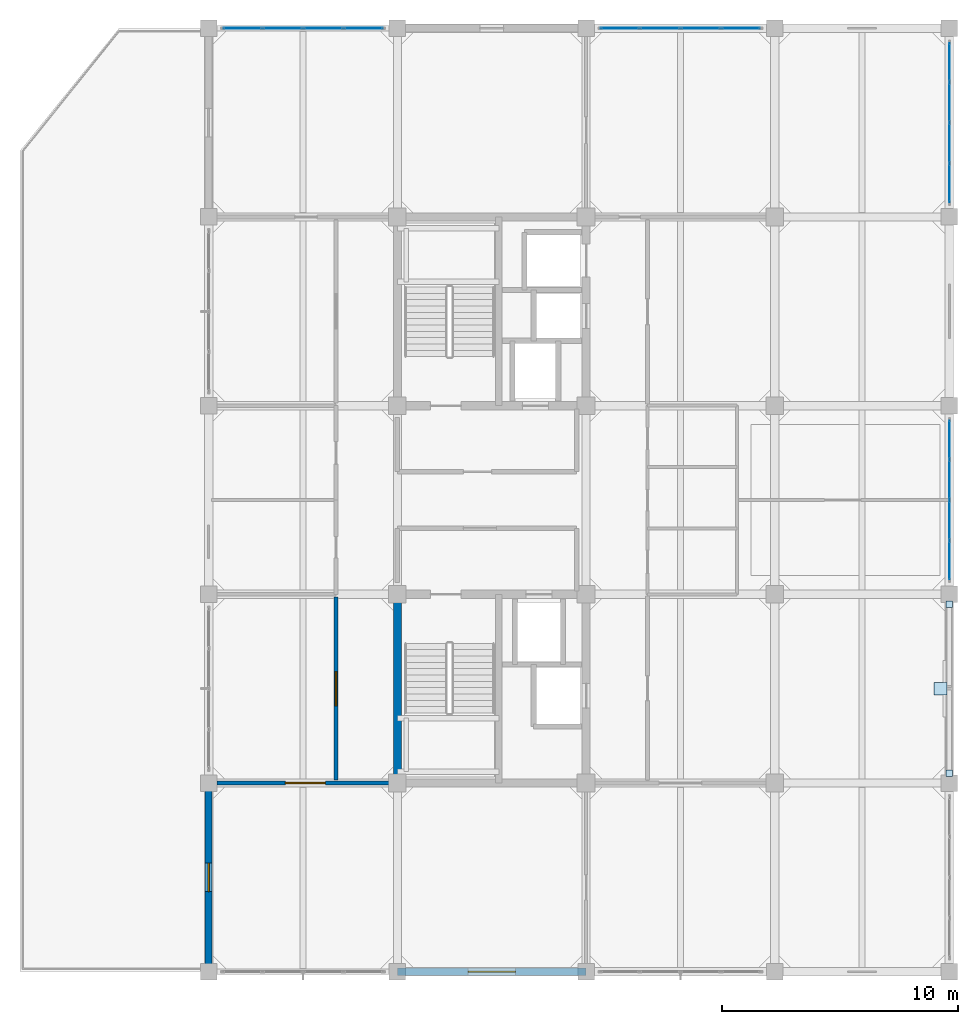
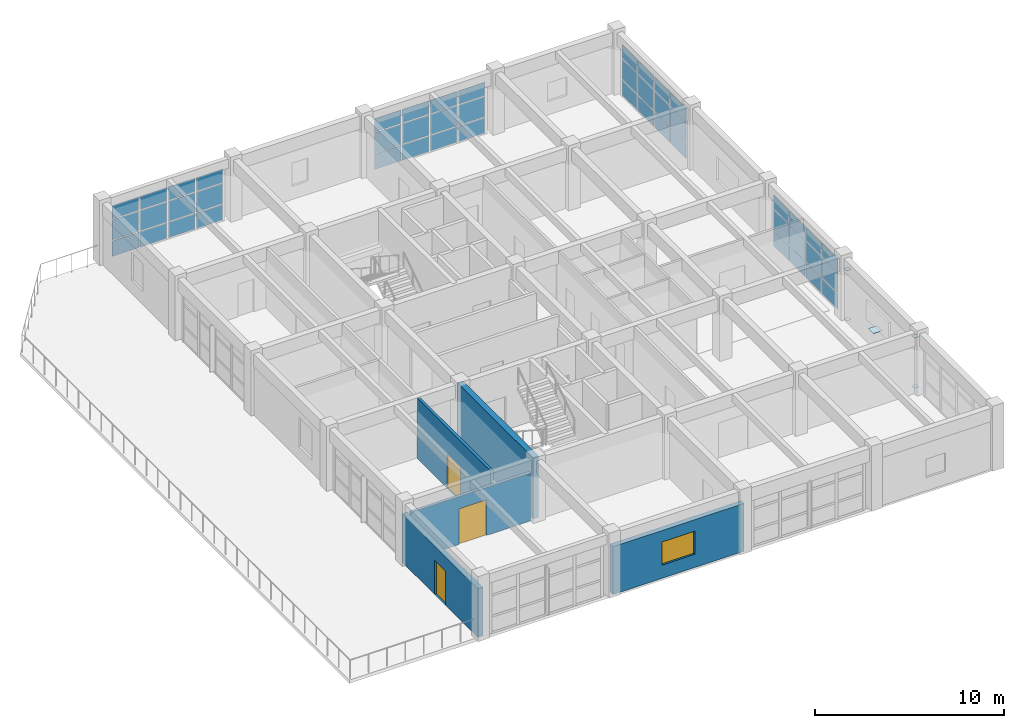
# One storey, part 18 of 25: 53 plates, 5 walls, 3 doors, 1 window, 4 openings, 4 elements without a shape of their own.
"""IFC4 building model written with IfcOpenShell, lengths in metres."""

from ifc_helpers import new_model, si_unit, direction, frame, frame_2d, origin, origin_2d, place, context, subcontext, project, spatial, rectangle, extrude, material, layer, layer_set, type_object, element, fill, aggregate, save


model = new_model("IFC4")

# Units and contexts
model_context = context("Model", 3, precision=1e-05, world=origin(), true_north=direction((0.0, 1.0)))
body_context = subcontext(model_context, "Body", "Model", "MODEL_VIEW")
ifc_project = project(units=[si_unit("LENGTHUNIT", "METRE"), si_unit("AREAUNIT", "SQUARE_METRE"), si_unit("VOLUMEUNIT", "CUBIC_METRE"), si_unit("PLANEANGLEUNIT", "RADIAN"), si_unit("MASSUNIT", "GRAM", prefix="KILO")], contexts=[model_context])

# Site, building, storey
site_placement = place(None, origin())
site = spatial("IfcSite", under=ifc_project, at=site_placement, CompositionType="ELEMENT")
building_placement = place(site_placement, origin())
building = spatial("IfcBuilding", under=site, at=building_placement, Name="Canggui Botanical Conservatory", CompositionType="ELEMENT")
storey_placement = place(building_placement, frame((0.0, 0.0, 40.199951171875)))
storey = spatial("IfcBuildingStorey", under=building, at=storey_placement, Name="L10", CompositionType="ELEMENT", Elevation=40.199951171875)

# Curtain wall, plates
ifc_material_1 = material(Name="Thermally Broken Aluminium", Category="aluminium")
ifc_layer_1 = layer(ifc_material_1, 0.179931640625, Name="Thermally Broken Aluminium", Category="aluminium")
ifc_layer_set_1 = layer_set([ifc_layer_1], Name="Thermally Broken Aluminium")
curtain_wall_type = type_object("IfcCurtainWallType", Name="CW-UNIT-A", PredefinedType="USERDEFINED", material=ifc_layer_set_1)
curtain_wall_1_placement = place(storey_placement, origin())
curtain_wall_1 = element("IfcCurtainWall", 1, at=curtain_wall_1_placement, inside=storey, type_object=curtain_wall_type, Name="Facade Curtain Wall CW-TWR-L10-10", ObjectType="UNITISED CURTAIN WALL", PredefinedType="USERDEFINED")
ifc_material_2 = material(Name="Low-E Insulated Glass", Category="glass")
ifc_layer_2 = layer(ifc_material_2, 0.02587890625, Name="Low-E Insulated Glass", Category="glass")
ifc_layer_set_2 = layer_set([ifc_layer_2], Name="Low-E Insulated Glass")
plate_type_1 = type_object("IfcPlateType", Name="CWP-01", PredefinedType="CURTAIN_PANEL", material=ifc_layer_set_2)
plate_1_placement = place(storey_placement, frame((147.4375, 74.0, 0.06494140625), z_axis=(0.0, 0.0, 1.0), x_axis=(1.0, 0.0, 0.0)))
plate_1 = element("IfcPlate", 2, at=plate_1_placement, type_object=plate_type_1, Name="CW-01 panel 1.1", PredefinedType="CURTAIN_PANEL", context=body_context, shape_type="SweptSolid", body=[
    extrude(rectangle(XDim=1.614990234375, YDim=0.02587890625, at=origin_2d()), origin(), (0.0, 0.0, 1.0), 0.990478515625),
])
plate_2_placement = place(storey_placement, frame((147.4375, 74.0, 1.12060546875), z_axis=(0.0, 0.0, 1.0), x_axis=(1.0, 0.0, 0.0)))
plate_2 = element("IfcPlate", 3, at=plate_2_placement, type_object=plate_type_1, Name="CW-01 panel 1.2", PredefinedType="CURTAIN_PANEL", context=body_context, shape_type="SweptSolid", body=[
    extrude(rectangle(XDim=1.614990234375, YDim=0.02587890625, at=origin_2d()), origin(), (0.0, 0.0, 1.0), 1.294921875),
])
plate_3_placement = place(storey_placement, frame((147.4375, 74.0, 2.48046875), z_axis=(0.0, 0.0, 1.0), x_axis=(1.0, 0.0, 0.0)))
plate_3 = element("IfcPlate", 4, at=plate_3_placement, type_object=plate_type_1, Name="CW-01 panel 1.3", PredefinedType="CURTAIN_PANEL", context=body_context, shape_type="SweptSolid", body=[
    extrude(rectangle(XDim=1.614990234375, YDim=0.02587890625, at=origin_2d()), origin(), (0.0, 0.0, 1.0), 0.8544921875),
])
plate_4_placement = place(storey_placement, frame((149.139892578125, 74.0, 0.06494140625), z_axis=(0.0, 0.0, 1.0), x_axis=(1.0, 0.0, 0.0)))
plate_4 = element("IfcPlate", 5, at=plate_4_placement, type_object=plate_type_1, Name="CW-01 panel 2.1", PredefinedType="CURTAIN_PANEL", context=body_context, shape_type="SweptSolid", body=[
    extrude(rectangle(XDim=1.64990234375, YDim=0.02587890625, at=origin_2d()), origin(), (0.0, 0.0, 1.0), 0.990478515625),
])
plate_5_placement = place(storey_placement, frame((149.139892578125, 74.0, 1.12060546875), z_axis=(0.0, 0.0, 1.0), x_axis=(1.0, 0.0, 0.0)))
plate_5 = element("IfcPlate", 6, at=plate_5_placement, type_object=plate_type_1, Name="CW-01 panel 2.2", PredefinedType="CURTAIN_PANEL", context=body_context, shape_type="SweptSolid", body=[
    extrude(rectangle(XDim=1.64990234375, YDim=0.02587890625, at=origin_2d()), origin(), (0.0, 0.0, 1.0), 1.294921875),
])
plate_6_placement = place(storey_placement, frame((149.139892578125, 74.0, 2.48046875), z_axis=(0.0, 0.0, 1.0), x_axis=(1.0, 0.0, 0.0)))
plate_6 = element("IfcPlate", 7, at=plate_6_placement, type_object=plate_type_1, Name="CW-01 panel 2.3", PredefinedType="CURTAIN_PANEL", context=body_context, shape_type="SweptSolid", body=[
    extrude(rectangle(XDim=1.64990234375, YDim=0.02587890625, at=origin_2d()), origin(), (0.0, 0.0, 1.0), 0.8544921875),
])
plate_7_placement = place(storey_placement, frame((150.860107421875, 74.0, 0.06494140625), z_axis=(0.0, 0.0, 1.0), x_axis=(1.0, 0.0, 0.0)))
plate_7 = element("IfcPlate", 8, at=plate_7_placement, type_object=plate_type_1, Name="CW-01 panel 3.1", PredefinedType="CURTAIN_PANEL", context=body_context, shape_type="SweptSolid", body=[
    extrude(rectangle(XDim=1.64990234375, YDim=0.02587890625, at=origin_2d()), origin(), (0.0, 0.0, 1.0), 0.990478515625),
])
plate_8_placement = place(storey_placement, frame((150.860107421875, 74.0, 1.12060546875), z_axis=(0.0, 0.0, 1.0), x_axis=(1.0, 0.0, 0.0)))
plate_8 = element("IfcPlate", 9, at=plate_8_placement, type_object=plate_type_1, Name="CW-01 panel 3.2", PredefinedType="CURTAIN_PANEL", context=body_context, shape_type="SweptSolid", body=[
    extrude(rectangle(XDim=1.64990234375, YDim=0.02587890625, at=origin_2d()), origin(), (0.0, 0.0, 1.0), 1.294921875),
])
plate_9_placement = place(storey_placement, frame((150.860107421875, 74.0, 2.48046875), z_axis=(0.0, 0.0, 1.0), x_axis=(1.0, 0.0, 0.0)))
plate_9 = element("IfcPlate", 10, at=plate_9_placement, type_object=plate_type_1, Name="CW-01 panel 3.3", PredefinedType="CURTAIN_PANEL", context=body_context, shape_type="SweptSolid", body=[
    extrude(rectangle(XDim=1.64990234375, YDim=0.02587890625, at=origin_2d()), origin(), (0.0, 0.0, 1.0), 0.8544921875),
])
plate_10_placement = place(storey_placement, frame((152.5625, 74.0, 0.06494140625), z_axis=(0.0, 0.0, 1.0), x_axis=(1.0, 0.0, 0.0)))
plate_10 = element("IfcPlate", 11, at=plate_10_placement, type_object=plate_type_1, Name="CW-01 panel 4.1", PredefinedType="CURTAIN_PANEL", context=body_context, shape_type="SweptSolid", body=[
    extrude(rectangle(XDim=1.614990234375, YDim=0.02587890625, at=origin_2d()), origin(), (0.0, 0.0, 1.0), 0.990478515625),
])
plate_11_placement = place(storey_placement, frame((152.5625, 74.0, 1.12060546875), z_axis=(0.0, 0.0, 1.0), x_axis=(1.0, 0.0, 0.0)))
plate_11 = element("IfcPlate", 12, at=plate_11_placement, type_object=plate_type_1, Name="CW-01 panel 4.2", PredefinedType="CURTAIN_PANEL", context=body_context, shape_type="SweptSolid", body=[
    extrude(rectangle(XDim=1.614990234375, YDim=0.02587890625, at=origin_2d()), origin(), (0.0, 0.0, 1.0), 1.294921875),
])
plate_12_placement = place(storey_placement, frame((152.5625, 74.0, 2.48046875), z_axis=(0.0, 0.0, 1.0), x_axis=(1.0, 0.0, 0.0)))
plate_12 = element("IfcPlate", 13, at=plate_12_placement, type_object=plate_type_1, Name="CW-01 panel 4.3", PredefinedType="CURTAIN_PANEL", context=body_context, shape_type="SweptSolid", body=[
    extrude(rectangle(XDim=1.614990234375, YDim=0.02587890625, at=origin_2d()), origin(), (0.0, 0.0, 1.0), 0.8544921875),
])
aggregate(curtain_wall_1, [plate_1, plate_2, plate_3, plate_4, plate_5, plate_6, plate_7, plate_8, plate_9, plate_10, plate_11, plate_12])

curtain_wall_2_placement = place(storey_placement, origin())
curtain_wall_2 = element("IfcCurtainWall", 14, at=curtain_wall_2_placement, inside=storey, type_object=curtain_wall_type, Name="Facade Curtain Wall CW-TWR-L10-12", ObjectType="UNITISED CURTAIN WALL", PredefinedType="USERDEFINED")
plate_13_placement = place(storey_placement, frame((163.4375, 74.0, 0.06494140625), z_axis=(0.0, 0.0, 1.0), x_axis=(1.0, 0.0, 0.0)))
plate_13 = element("IfcPlate", 15, at=plate_13_placement, type_object=plate_type_1, Name="CW-01 panel 1.1", PredefinedType="CURTAIN_PANEL", context=body_context, shape_type="SweptSolid", body=[
    extrude(rectangle(XDim=1.614990234375, YDim=0.02587890625, at=origin_2d()), origin(), (0.0, 0.0, 1.0), 0.990478515625),
])
plate_14_placement = place(storey_placement, frame((163.4375, 74.0, 1.12060546875), z_axis=(0.0, 0.0, 1.0), x_axis=(1.0, 0.0, 0.0)))
plate_14 = element("IfcPlate", 16, at=plate_14_placement, type_object=plate_type_1, Name="CW-01 panel 1.2", PredefinedType="CURTAIN_PANEL", context=body_context, shape_type="SweptSolid", body=[
    extrude(rectangle(XDim=1.614990234375, YDim=0.02587890625, at=origin_2d()), origin(), (0.0, 0.0, 1.0), 1.294921875),
])
plate_15_placement = place(storey_placement, frame((163.4375, 74.0, 2.48046875), z_axis=(0.0, 0.0, 1.0), x_axis=(1.0, 0.0, 0.0)))
plate_15 = element("IfcPlate", 17, at=plate_15_placement, type_object=plate_type_1, Name="CW-01 panel 1.3", PredefinedType="CURTAIN_PANEL", context=body_context, shape_type="SweptSolid", body=[
    extrude(rectangle(XDim=1.614990234375, YDim=0.02587890625, at=origin_2d()), origin(), (0.0, 0.0, 1.0), 0.8544921875),
])
plate_16_placement = place(storey_placement, frame((165.139892578125, 74.0, 0.06494140625), z_axis=(0.0, 0.0, 1.0), x_axis=(1.0, 0.0, 0.0)))
plate_16 = element("IfcPlate", 18, at=plate_16_placement, type_object=plate_type_1, Name="CW-01 panel 2.1", PredefinedType="CURTAIN_PANEL", context=body_context, shape_type="SweptSolid", body=[
    extrude(rectangle(XDim=1.64990234375, YDim=0.02587890625, at=origin_2d()), origin(), (0.0, 0.0, 1.0), 0.990478515625),
])
plate_17_placement = place(storey_placement, frame((165.139892578125, 74.0, 1.12060546875), z_axis=(0.0, 0.0, 1.0), x_axis=(1.0, 0.0, 0.0)))
plate_17 = element("IfcPlate", 19, at=plate_17_placement, type_object=plate_type_1, Name="CW-01 panel 2.2", PredefinedType="CURTAIN_PANEL", context=body_context, shape_type="SweptSolid", body=[
    extrude(rectangle(XDim=1.64990234375, YDim=0.02587890625, at=origin_2d()), origin(), (0.0, 0.0, 1.0), 1.294921875),
])
plate_18_placement = place(storey_placement, frame((165.139892578125, 74.0, 2.48046875), z_axis=(0.0, 0.0, 1.0), x_axis=(1.0, 0.0, 0.0)))
plate_18 = element("IfcPlate", 20, at=plate_18_placement, type_object=plate_type_1, Name="CW-01 panel 2.3", PredefinedType="CURTAIN_PANEL", context=body_context, shape_type="SweptSolid", body=[
    extrude(rectangle(XDim=1.64990234375, YDim=0.02587890625, at=origin_2d()), origin(), (0.0, 0.0, 1.0), 0.8544921875),
])
plate_19_placement = place(storey_placement, frame((166.860107421875, 74.0, 0.06494140625), z_axis=(0.0, 0.0, 1.0), x_axis=(1.0, 0.0, 0.0)))
plate_19 = element("IfcPlate", 21, at=plate_19_placement, type_object=plate_type_1, Name="CW-01 panel 3.1", PredefinedType="CURTAIN_PANEL", context=body_context, shape_type="SweptSolid", body=[
    extrude(rectangle(XDim=1.64990234375, YDim=0.02587890625, at=origin_2d()), origin(), (0.0, 0.0, 1.0), 0.990478515625),
])
plate_20_placement = place(storey_placement, frame((166.860107421875, 74.0, 1.12060546875), z_axis=(0.0, 0.0, 1.0), x_axis=(1.0, 0.0, 0.0)))
plate_20 = element("IfcPlate", 22, at=plate_20_placement, type_object=plate_type_1, Name="CW-01 panel 3.2", PredefinedType="CURTAIN_PANEL", context=body_context, shape_type="SweptSolid", body=[
    extrude(rectangle(XDim=1.64990234375, YDim=0.02587890625, at=origin_2d()), origin(), (0.0, 0.0, 1.0), 1.294921875),
])
plate_21_placement = place(storey_placement, frame((166.860107421875, 74.0, 2.48046875), z_axis=(0.0, 0.0, 1.0), x_axis=(1.0, 0.0, 0.0)))
plate_21 = element("IfcPlate", 23, at=plate_21_placement, type_object=plate_type_1, Name="CW-01 panel 3.3", PredefinedType="CURTAIN_PANEL", context=body_context, shape_type="SweptSolid", body=[
    extrude(rectangle(XDim=1.64990234375, YDim=0.02587890625, at=origin_2d()), origin(), (0.0, 0.0, 1.0), 0.8544921875),
])
plate_22_placement = place(storey_placement, frame((168.5625, 74.0, 0.06494140625), z_axis=(0.0, 0.0, 1.0), x_axis=(1.0, 0.0, 0.0)))
plate_22 = element("IfcPlate", 24, at=plate_22_placement, type_object=plate_type_1, Name="CW-01 panel 4.1", PredefinedType="CURTAIN_PANEL", context=body_context, shape_type="SweptSolid", body=[
    extrude(rectangle(XDim=1.614990234375, YDim=0.02587890625, at=origin_2d()), origin(), (0.0, 0.0, 1.0), 0.990478515625),
])
plate_23_placement = place(storey_placement, frame((168.5625, 74.0, 1.12060546875), z_axis=(0.0, 0.0, 1.0), x_axis=(1.0, 0.0, 0.0)))
plate_23 = element("IfcPlate", 25, at=plate_23_placement, type_object=plate_type_1, Name="CW-01 panel 4.2", PredefinedType="CURTAIN_PANEL", context=body_context, shape_type="SweptSolid", body=[
    extrude(rectangle(XDim=1.614990234375, YDim=0.02587890625, at=origin_2d()), origin(), (0.0, 0.0, 1.0), 1.294921875),
])
plate_24_placement = place(storey_placement, frame((168.5625, 74.0, 2.48046875), z_axis=(0.0, 0.0, 1.0), x_axis=(1.0, 0.0, 0.0)))
plate_24 = element("IfcPlate", 26, at=plate_24_placement, type_object=plate_type_1, Name="CW-01 panel 4.3", PredefinedType="CURTAIN_PANEL", context=body_context, shape_type="SweptSolid", body=[
    extrude(rectangle(XDim=1.614990234375, YDim=0.02587890625, at=origin_2d()), origin(), (0.0, 0.0, 1.0), 0.8544921875),
])
aggregate(curtain_wall_2, [plate_13, plate_14, plate_15, plate_16, plate_17, plate_18, plate_19, plate_20, plate_21, plate_22, plate_23, plate_24])

curtain_wall_3_placement = place(storey_placement, origin())
curtain_wall_3 = element("IfcCurtainWall", 27, at=curtain_wall_3_placement, inside=storey, type_object=curtain_wall_type, Name="Facade Curtain Wall CW-TWR-L10-14", ObjectType="UNITISED CURTAIN WALL", PredefinedType="USERDEFINED")
plate_25_placement = place(storey_placement, frame((177.39990234375, 72.5625, 0.06494140625), z_axis=(0.0, 0.0, 1.0), x_axis=(0.0, -1.0, 0.0)))
plate_25 = element("IfcPlate", 28, at=plate_25_placement, type_object=plate_type_1, Name="CW-01 panel 1.1", PredefinedType="CURTAIN_PANEL", context=body_context, shape_type="SweptSolid", body=[
    extrude(rectangle(XDim=1.614990234375, YDim=0.02587890625, at=origin_2d()), origin(), (0.0, 0.0, 1.0), 0.990478515625),
])
plate_26_placement = place(storey_placement, frame((177.39990234375, 72.5625, 1.12060546875), z_axis=(0.0, 0.0, 1.0), x_axis=(0.0, -1.0, 0.0)))
plate_26 = element("IfcPlate", 29, at=plate_26_placement, type_object=plate_type_1, Name="CW-01 panel 1.2", PredefinedType="CURTAIN_PANEL", context=body_context, shape_type="SweptSolid", body=[
    extrude(rectangle(XDim=1.614990234375, YDim=0.02587890625, at=origin_2d()), origin(), (0.0, 0.0, 1.0), 1.294921875),
])
plate_27_placement = place(storey_placement, frame((177.39990234375, 72.5625, 2.48046875), z_axis=(0.0, 0.0, 1.0), x_axis=(0.0, -1.0, 0.0)))
plate_27 = element("IfcPlate", 30, at=plate_27_placement, type_object=plate_type_1, Name="CW-01 panel 1.3", PredefinedType="CURTAIN_PANEL", context=body_context, shape_type="SweptSolid", body=[
    extrude(rectangle(XDim=1.614990234375, YDim=0.02587890625, at=origin_2d()), origin(), (0.0, 0.0, 1.0), 0.8544921875),
])
plate_28_placement = place(storey_placement, frame((177.39990234375, 70.860107421875, 0.06494140625), z_axis=(0.0, 0.0, 1.0), x_axis=(0.0, -1.0, 0.0)))
plate_28 = element("IfcPlate", 31, at=plate_28_placement, type_object=plate_type_1, Name="CW-01 panel 2.1", PredefinedType="CURTAIN_PANEL", context=body_context, shape_type="SweptSolid", body=[
    extrude(rectangle(XDim=1.64990234375, YDim=0.02587890625, at=origin_2d()), origin(), (0.0, 0.0, 1.0), 0.990478515625),
])
plate_29_placement = place(storey_placement, frame((177.39990234375, 70.860107421875, 1.12060546875), z_axis=(0.0, 0.0, 1.0), x_axis=(0.0, -1.0, 0.0)))
plate_29 = element("IfcPlate", 32, at=plate_29_placement, type_object=plate_type_1, Name="CW-01 panel 2.2", PredefinedType="CURTAIN_PANEL", context=body_context, shape_type="SweptSolid", body=[
    extrude(rectangle(XDim=1.64990234375, YDim=0.02587890625, at=origin_2d()), origin(), (0.0, 0.0, 1.0), 1.294921875),
])
plate_30_placement = place(storey_placement, frame((177.39990234375, 70.860107421875, 2.48046875), z_axis=(0.0, 0.0, 1.0), x_axis=(0.0, -1.0, 0.0)))
plate_30 = element("IfcPlate", 33, at=plate_30_placement, type_object=plate_type_1, Name="CW-01 panel 2.3", PredefinedType="CURTAIN_PANEL", context=body_context, shape_type="SweptSolid", body=[
    extrude(rectangle(XDim=1.64990234375, YDim=0.02587890625, at=origin_2d()), origin(), (0.0, 0.0, 1.0), 0.8544921875),
])
plate_31_placement = place(storey_placement, frame((177.39990234375, 69.139892578125, 0.06494140625), z_axis=(0.0, 0.0, 1.0), x_axis=(0.0, -1.0, 0.0)))
plate_31 = element("IfcPlate", 34, at=plate_31_placement, type_object=plate_type_1, Name="CW-01 panel 3.1", PredefinedType="CURTAIN_PANEL", context=body_context, shape_type="SweptSolid", body=[
    extrude(rectangle(XDim=1.64990234375, YDim=0.02587890625, at=origin_2d()), origin(), (0.0, 0.0, 1.0), 0.990478515625),
])
plate_32_placement = place(storey_placement, frame((177.39990234375, 69.139892578125, 1.12060546875), z_axis=(0.0, 0.0, 1.0), x_axis=(0.0, -1.0, 0.0)))
plate_32 = element("IfcPlate", 35, at=plate_32_placement, type_object=plate_type_1, Name="CW-01 panel 3.2", PredefinedType="CURTAIN_PANEL", context=body_context, shape_type="SweptSolid", body=[
    extrude(rectangle(XDim=1.64990234375, YDim=0.02587890625, at=origin_2d()), origin(), (0.0, 0.0, 1.0), 1.294921875),
])
plate_33_placement = place(storey_placement, frame((177.39990234375, 69.139892578125, 2.48046875), z_axis=(0.0, 0.0, 1.0), x_axis=(0.0, -1.0, 0.0)))
plate_33 = element("IfcPlate", 36, at=plate_33_placement, type_object=plate_type_1, Name="CW-01 panel 3.3", PredefinedType="CURTAIN_PANEL", context=body_context, shape_type="SweptSolid", body=[
    extrude(rectangle(XDim=1.64990234375, YDim=0.02587890625, at=origin_2d()), origin(), (0.0, 0.0, 1.0), 0.8544921875),
])
plate_34_placement = place(storey_placement, frame((177.39990234375, 67.4375, 0.06494140625), z_axis=(0.0, 0.0, 1.0), x_axis=(0.0, -1.0, 0.0)))
plate_34 = element("IfcPlate", 37, at=plate_34_placement, type_object=plate_type_1, Name="CW-01 panel 4.1", PredefinedType="CURTAIN_PANEL", context=body_context, shape_type="SweptSolid", body=[
    extrude(rectangle(XDim=1.614990234375, YDim=0.02587890625, at=origin_2d()), origin(), (0.0, 0.0, 1.0), 0.990478515625),
])
plate_35_placement = place(storey_placement, frame((177.39990234375, 67.4375, 1.12060546875), z_axis=(0.0, 0.0, 1.0), x_axis=(0.0, -1.0, 0.0)))
plate_35 = element("IfcPlate", 38, at=plate_35_placement, type_object=plate_type_1, Name="CW-01 panel 4.2", PredefinedType="CURTAIN_PANEL", context=body_context, shape_type="SweptSolid", body=[
    extrude(rectangle(XDim=1.614990234375, YDim=0.02587890625, at=origin_2d()), origin(), (0.0, 0.0, 1.0), 1.294921875),
])
plate_36_placement = place(storey_placement, frame((177.39990234375, 67.4375, 2.48046875), z_axis=(0.0, 0.0, 1.0), x_axis=(0.0, -1.0, 0.0)))
plate_36 = element("IfcPlate", 39, at=plate_36_placement, type_object=plate_type_1, Name="CW-01 panel 4.3", PredefinedType="CURTAIN_PANEL", context=body_context, shape_type="SweptSolid", body=[
    extrude(rectangle(XDim=1.614990234375, YDim=0.02587890625, at=origin_2d()), origin(), (0.0, 0.0, 1.0), 0.8544921875),
])
aggregate(curtain_wall_3, [plate_25, plate_26, plate_27, plate_28, plate_29, plate_30, plate_31, plate_32, plate_33, plate_34, plate_35, plate_36])

curtain_wall_4_placement = place(storey_placement, origin())
curtain_wall_4 = element("IfcCurtainWall", 40, at=curtain_wall_4_placement, inside=storey, type_object=curtain_wall_type, Name="Facade Curtain Wall CW-TWR-L10-16", ObjectType="UNITISED CURTAIN WALL", PredefinedType="USERDEFINED")
plate_37_placement = place(storey_placement, frame((177.39990234375, 56.5625, 0.06494140625), z_axis=(0.0, 0.0, 1.0), x_axis=(0.0, -1.0, 0.0)))
plate_37 = element("IfcPlate", 41, at=plate_37_placement, type_object=plate_type_1, Name="CW-01 panel 1.1", PredefinedType="CURTAIN_PANEL", context=body_context, shape_type="SweptSolid", body=[
    extrude(rectangle(XDim=1.614990234375, YDim=0.02587890625, at=origin_2d()), origin(), (0.0, 0.0, 1.0), 0.990478515625),
])
plate_38_placement = place(storey_placement, frame((177.39990234375, 56.5625, 1.12060546875), z_axis=(0.0, 0.0, 1.0), x_axis=(0.0, -1.0, 0.0)))
plate_38 = element("IfcPlate", 42, at=plate_38_placement, type_object=plate_type_1, Name="CW-01 panel 1.2", PredefinedType="CURTAIN_PANEL", context=body_context, shape_type="SweptSolid", body=[
    extrude(rectangle(XDim=1.614990234375, YDim=0.02587890625, at=origin_2d()), origin(), (0.0, 0.0, 1.0), 1.294921875),
])
plate_39_placement = place(storey_placement, frame((177.39990234375, 56.5625, 2.48046875), z_axis=(0.0, 0.0, 1.0), x_axis=(0.0, -1.0, 0.0)))
plate_39 = element("IfcPlate", 43, at=plate_39_placement, type_object=plate_type_1, Name="CW-01 panel 1.3", PredefinedType="CURTAIN_PANEL", context=body_context, shape_type="SweptSolid", body=[
    extrude(rectangle(XDim=1.614990234375, YDim=0.02587890625, at=origin_2d()), origin(), (0.0, 0.0, 1.0), 0.8544921875),
])
plate_40_placement = place(storey_placement, frame((177.39990234375, 54.860107421875, 0.06494140625), z_axis=(0.0, 0.0, 1.0), x_axis=(0.0, -1.0, 0.0)))
plate_40 = element("IfcPlate", 44, at=plate_40_placement, type_object=plate_type_1, Name="CW-01 panel 2.1", PredefinedType="CURTAIN_PANEL", context=body_context, shape_type="SweptSolid", body=[
    extrude(rectangle(XDim=1.64990234375, YDim=0.02587890625, at=origin_2d()), origin(), (0.0, 0.0, 1.0), 0.990478515625),
])
plate_41_placement = place(storey_placement, frame((177.39990234375, 54.860107421875, 1.12060546875), z_axis=(0.0, 0.0, 1.0), x_axis=(0.0, -1.0, 0.0)))
plate_41 = element("IfcPlate", 45, at=plate_41_placement, type_object=plate_type_1, Name="CW-01 panel 2.2", PredefinedType="CURTAIN_PANEL", context=body_context, shape_type="SweptSolid", body=[
    extrude(rectangle(XDim=1.64990234375, YDim=0.02587890625, at=origin_2d()), origin(), (0.0, 0.0, 1.0), 1.294921875),
])
plate_42_placement = place(storey_placement, frame((177.39990234375, 54.860107421875, 2.48046875), z_axis=(0.0, 0.0, 1.0), x_axis=(0.0, -1.0, 0.0)))
plate_42 = element("IfcPlate", 46, at=plate_42_placement, type_object=plate_type_1, Name="CW-01 panel 2.3", PredefinedType="CURTAIN_PANEL", context=body_context, shape_type="SweptSolid", body=[
    extrude(rectangle(XDim=1.64990234375, YDim=0.02587890625, at=origin_2d()), origin(), (0.0, 0.0, 1.0), 0.8544921875),
])
plate_43_placement = place(storey_placement, frame((177.39990234375, 53.139892578125, 0.06494140625), z_axis=(0.0, 0.0, 1.0), x_axis=(0.0, -1.0, 0.0)))
plate_43 = element("IfcPlate", 47, at=plate_43_placement, type_object=plate_type_1, Name="CW-01 panel 3.1", PredefinedType="CURTAIN_PANEL", context=body_context, shape_type="SweptSolid", body=[
    extrude(rectangle(XDim=1.64990234375, YDim=0.02587890625, at=origin_2d()), origin(), (0.0, 0.0, 1.0), 0.990478515625),
])
plate_44_placement = place(storey_placement, frame((177.39990234375, 53.139892578125, 1.12060546875), z_axis=(0.0, 0.0, 1.0), x_axis=(0.0, -1.0, 0.0)))
plate_44 = element("IfcPlate", 48, at=plate_44_placement, type_object=plate_type_1, Name="CW-01 panel 3.2", PredefinedType="CURTAIN_PANEL", context=body_context, shape_type="SweptSolid", body=[
    extrude(rectangle(XDim=1.64990234375, YDim=0.02587890625, at=origin_2d()), origin(), (0.0, 0.0, 1.0), 1.294921875),
])
plate_45_placement = place(storey_placement, frame((177.39990234375, 53.139892578125, 2.48046875), z_axis=(0.0, 0.0, 1.0), x_axis=(0.0, -1.0, 0.0)))
plate_45 = element("IfcPlate", 49, at=plate_45_placement, type_object=plate_type_1, Name="CW-01 panel 3.3", PredefinedType="CURTAIN_PANEL", context=body_context, shape_type="SweptSolid", body=[
    extrude(rectangle(XDim=1.64990234375, YDim=0.02587890625, at=origin_2d()), origin(), (0.0, 0.0, 1.0), 0.8544921875),
])
plate_46_placement = place(storey_placement, frame((177.39990234375, 51.4375, 0.06494140625), z_axis=(0.0, 0.0, 1.0), x_axis=(0.0, -1.0, 0.0)))
plate_46 = element("IfcPlate", 50, at=plate_46_placement, type_object=plate_type_1, Name="CW-01 panel 4.1", PredefinedType="CURTAIN_PANEL", context=body_context, shape_type="SweptSolid", body=[
    extrude(rectangle(XDim=1.614990234375, YDim=0.02587890625, at=origin_2d()), origin(), (0.0, 0.0, 1.0), 0.990478515625),
])
plate_47_placement = place(storey_placement, frame((177.39990234375, 51.4375, 1.12060546875), z_axis=(0.0, 0.0, 1.0), x_axis=(0.0, -1.0, 0.0)))
plate_47 = element("IfcPlate", 51, at=plate_47_placement, type_object=plate_type_1, Name="CW-01 panel 4.2", PredefinedType="CURTAIN_PANEL", context=body_context, shape_type="SweptSolid", body=[
    extrude(rectangle(XDim=1.614990234375, YDim=0.02587890625, at=origin_2d()), origin(), (0.0, 0.0, 1.0), 1.294921875),
])
plate_48_placement = place(storey_placement, frame((177.39990234375, 51.4375, 2.48046875), z_axis=(0.0, 0.0, 1.0), x_axis=(0.0, -1.0, 0.0)))
plate_48 = element("IfcPlate", 52, at=plate_48_placement, type_object=plate_type_1, Name="CW-01 panel 4.3", PredefinedType="CURTAIN_PANEL", context=body_context, shape_type="SweptSolid", body=[
    extrude(rectangle(XDim=1.614990234375, YDim=0.02587890625, at=origin_2d()), origin(), (0.0, 0.0, 1.0), 0.8544921875),
])
aggregate(curtain_wall_4, [plate_37, plate_38, plate_39, plate_40, plate_41, plate_42, plate_43, plate_44, plate_45, plate_46, plate_47, plate_48])

# Plates
ifc_material_3 = material(Name="Steel Q355B", Category="steel")
ifc_layer_3 = layer(ifc_material_3, 0.02001953125, Name="Steel Q355B", Category="steel")
ifc_layer_set_3 = layer_set([ifc_layer_3], Name="Steel Q355B")
plate_type_2 = type_object("IfcPlateType", Name="PLT-CAP-20", PredefinedType="USERDEFINED", material=ifc_layer_set_3)
for number, where, z_axis, x_axis, name in (
    (53, (177.39990234375, 42.419921875, 0.0400390625), (0.0, 0.0, 1.0), (1.0, 0.0, 0.0), "CP-ZC-L10-1"),
    (54, (177.39990234375, 49.580078125, 0.0400390625), (0.0, 0.0, 1.0), (1.0, 0.0, 0.0), "CP-ZC-L10-2"),
    (55, (177.39990234375, 42.419921875, 3.27001953125), (0.0, 0.0, 1.0), (1.0, 0.0, 0.0), "CP-ZC-L10-3"),
    (56, (177.39990234375, 49.580078125, 3.27001953125), (0.0, 0.0, 1.0), (1.0, 0.0, 0.0), "CP-ZC-L10-4"),
):
    element("IfcPlate", number, at=place(storey_placement, frame(where, z_axis=z_axis, x_axis=x_axis)), inside=storey, type_object=plate_type_2, Name=name, ObjectType="END CAP PLATE", PredefinedType="USERDEFINED", context=body_context, shape_type="SweptSolid", body=[
        extrude(rectangle(XDim=0.280029296875, YDim=0.280029296875, at=origin_2d()), origin(), (0.0, 0.0, 1.0), 0.02001953125),
    ])
ifc_material_4 = material(Name="Steel Q355C", Category="steel")
ifc_layer_4 = layer(ifc_material_4, 0.02392578125, Name="Steel Q355C", Category="steel")
ifc_layer_set_4 = layer_set([ifc_layer_4], Name="Steel Q355C")
plate_type_3 = type_object("IfcPlateType", Name="PLT-GUSSET-24", PredefinedType="USERDEFINED", material=ifc_layer_set_4)
plate_49_placement = place(storey_placement, frame((177.030029296875, 46.0, 1.653076171875), z_axis=(0.0, 0.0, 1.0), x_axis=(1.0, 0.0, 0.0)))
element("IfcPlate", 57, at=plate_49_placement, inside=storey, type_object=plate_type_3, Name="Seismic X-Brace Central Crossing Gusset Plate L10", ObjectType="GUSSET PLATE", PredefinedType="USERDEFINED", context=body_context, shape_type="SweptSolid", body=[
    extrude(rectangle(XDim=0.5400390625, YDim=0.5400390625, at=origin_2d()), origin(), (0.0, 0.0, 1.0), 0.02392578125),
])

# Wall, opening, window
ifc_material_5 = material(Name="Precast Concrete C40", Category="concrete")
ifc_layer_5 = layer(ifc_material_5, 0.300048828125, Name="Precast Concrete C40", Category="concrete")
ifc_layer_set_5 = layer_set([ifc_layer_5], Name="Precast Concrete C40")
wall_type_1 = type_object("IfcWallType", Name="EW-300", PredefinedType="STANDARD", material=ifc_layer_set_5)
wall_1_placement = place(storey_placement, frame((162.0, 34.0, 0.0), z_axis=(0.0, 0.0, 1.0), x_axis=(-1.0, 0.0, 0.0)))
wall_1 = element("IfcWall", 58, at=wall_1_placement, inside=storey, type_object=wall_type_1, Name="Tower Insulated Exterior Wall L10-S3", PredefinedType="STANDARD", context=body_context, shape_type="SweptSolid", body=[
    extrude(rectangle(XDim=8.0, YDim=0.300048828125, at=frame_2d((4.0, 0.0))), origin(), (0.0, 0.0, 1.0), 3.090087890625),
])
opening_1_placement = place(wall_1_placement, frame((3.0, 0.0, 0.85009765625)))
opening_1 = element("IfcOpeningElement", 59, at=opening_1_placement, cuts=wall_1, Name="Opening W-11", PredefinedType="OPENING", context=body_context, shape_type="SweptSolid", body=[
    extrude(rectangle(XDim=2.0, YDim=1.5, at=frame_2d((1.0, 0.75))), frame((0.0, 0.16015625, 0.0), z_axis=(0.0, -1.0, 0.0), x_axis=(1.0, 0.0, 0.0)), (0.0, 0.0, 1.0), 0.320068359375),
])
window_type = type_object("IfcWindowType", Name="WIN-11", PartitioningType="DOUBLE_PANEL_VERTICAL", PredefinedType="WINDOW", material=ifc_material_2)
window_placement = place(opening_1_placement, origin())
window = element("IfcWindow", 60, at=window_placement, inside=storey, type_object=window_type, Name="Tower Window L10-3", OverallHeight=1.5, OverallWidth=2.0, PartitioningType="SINGLE_PANEL", PredefinedType="WINDOW", context=body_context, shape_type="SweptSolid", body=[
    extrude(rectangle(XDim=2.0, YDim=1.5, at=frame_2d((1.0, 0.75))), frame((0.0, 0.030029296875, 0.0), z_axis=(0.0, -1.0, 0.0), x_axis=(1.0, 0.0, 0.0)), (0.0, 0.0, 1.0), 0.06005859375),
])
fill(opening_1, window)

# Wall, opening, door
wall_2_placement = place(storey_placement, frame((146.0, 34.0, 0.0), z_axis=(0.0, 0.0, 1.0), x_axis=(0.0, 1.0, 0.0)))
wall_2 = element("IfcWall", 61, at=wall_2_placement, inside=storey, type_object=wall_type_1, Name="Tower Insulated Exterior Wall L10-W5", PredefinedType="STANDARD", context=body_context, shape_type="SweptSolid", body=[
    extrude(rectangle(XDim=8.0, YDim=0.300048828125, at=frame_2d((4.0, 0.0))), origin(), (0.0, 0.0, 1.0), 3.14013671875),
])
opening_2_placement = place(wall_2_placement, frame((3.39990234375, 0.0, 0.0)))
opening_2 = element("IfcOpeningElement", 62, at=opening_2_placement, cuts=wall_2, Name="Opening TD-02", PredefinedType="OPENING", context=body_context, shape_type="SweptSolid", body=[
    extrude(rectangle(XDim=1.199951171875, YDim=2.199951171875, at=frame_2d((0.60009765625, 1.10009765625))), frame((0.0, 0.16015625, 0.0), z_axis=(0.0, -1.0, 0.0), x_axis=(1.0, 0.0, 0.0)), (0.0, 0.0, 1.0), 0.320068359375),
])
ifc_material_6 = material(Name="Anodised Aluminium", Category="aluminium")
door_type_1 = type_object("IfcDoorType", Name="EDR-TER12", OperationType="NOTDEFINED", PredefinedType="DOOR", material=ifc_material_6)
door_1_placement = place(opening_2_placement, origin())
door_1 = element("IfcDoor", 63, at=door_1_placement, inside=storey, type_object=door_type_1, Name="Sky Terrace Access Door L10", OperationType="SINGLE_SWING_RIGHT", OverallHeight=2.199951171875, OverallWidth=1.199951171875, PredefinedType="DOOR", context=body_context, shape_type="SweptSolid", body=[
    extrude(rectangle(XDim=1.199951171875, YDim=2.199951171875, at=frame_2d((0.60009765625, 1.10009765625))), frame((0.0, 0.02490234375, 0.0), z_axis=(0.0, -1.0, 0.0), x_axis=(1.0, 0.0, 0.0)), (0.0, 0.0, 1.0), 0.050048828125),
])
fill(opening_2, door_1)

ifc_material_7 = material(Name="Gypsum Plasterboard Partition")
ifc_layer_6 = layer(ifc_material_7, 0.175048828125, Name="Gypsum Plasterboard Partition")
ifc_layer_set_6 = layer_set([ifc_layer_6], Name="Gypsum Plasterboard Partition")
wall_type_2 = type_object("IfcWallType", Name="IW-CORR-175", PredefinedType="STANDARD", material=ifc_layer_set_6)
wall_3_placement = place(storey_placement, frame((151.39990234375, 42.1201171875, 0.0), z_axis=(0.0, 0.0, 1.0), x_axis=(0.0, 1.0, 0.0)))
wall_3 = element("IfcWall", 64, at=wall_3_placement, inside=storey, type_object=wall_type_2, Name="L10 Seed Taxonomy Studio Corridor Wall", PredefinedType="STANDARD", context=body_context, shape_type="SweptSolid", body=[
    extrude(rectangle(XDim=7.759765625, YDim=0.175048828125, at=frame_2d((3.8798828125, 0.0))), origin(), (0.0, 0.0, 1.0), 3.900146484375),
])
opening_3_placement = place(wall_3_placement, frame((3.155029296875, 0.0, 0.0)))
opening_3 = element("IfcOpeningElement", 65, at=opening_3_placement, cuts=wall_3, Name="Opening FD-12", PredefinedType="OPENING", context=body_context, shape_type="SweptSolid", body=[
    extrude(rectangle(XDim=1.449951171875, YDim=2.199951171875, at=frame_2d((0.72509765625, 1.10009765625))), frame((0.0, 0.09765625, 0.0), z_axis=(0.0, -1.0, 0.0), x_axis=(1.0, 0.0, 0.0)), (0.0, 0.0, 1.0), 0.195068359375),
])
ifc_material_8 = material(Name="Powder-Coated Steel", Category="steel")
door_type_2 = type_object("IfcDoorType", Name="FD-12", OperationType="NOTDEFINED", PredefinedType="DOOR", material=ifc_material_8)
door_2_placement = place(opening_3_placement, origin())
door_2 = element("IfcDoor", 66, at=door_2_placement, inside=storey, type_object=door_type_2, Name="L10 Seed Taxonomy Studio Entrance Door", OperationType="SINGLE_SWING_LEFT", OverallHeight=2.199951171875, OverallWidth=1.449951171875, PredefinedType="DOOR", context=body_context, shape_type="SweptSolid", body=[
    extrude(rectangle(XDim=1.449951171875, YDim=2.199951171875, at=frame_2d((0.72509765625, 1.10009765625))), frame((0.0, 0.02490234375, 0.0), z_axis=(0.0, -1.0, 0.0), x_axis=(1.0, 0.0, 0.0)), (0.0, 0.0, 1.0), 0.050048828125),
])
fill(opening_3, door_2)

wall_4_placement = place(storey_placement, frame((146.35009765625, 42.0, 0.0), z_axis=(0.0, 0.0, 1.0), x_axis=(1.0, 0.0, 0.0)))
wall_4 = element("IfcWall", 67, at=wall_4_placement, inside=storey, type_object=wall_type_2, Name="L10 Seed Physiology Research Laboratory South Suite Wall", PredefinedType="STANDARD", context=body_context, shape_type="SweptSolid", body=[
    extrude(rectangle(XDim=7.2998046875, YDim=0.175048828125, at=frame_2d((3.64990234375, 0.0))), origin(), (0.0, 0.0, 1.0), 3.090087890625),
])
opening_4_placement = place(wall_4_placement, frame((2.89990234375, 0.0, 0.0)))
opening_4 = element("IfcOpeningElement", 68, at=opening_4_placement, cuts=wall_4, Name="Opening FD-16", PredefinedType="OPENING", context=body_context, shape_type="SweptSolid", body=[
    extrude(rectangle(XDim=1.699951171875, YDim=2.300048828125, at=frame_2d((0.85009765625, 1.14990234375))), frame((0.0, 0.09765625, 0.0), z_axis=(0.0, -1.0, 0.0), x_axis=(1.0, 0.0, 0.0)), (0.0, 0.0, 1.0), 0.195068359375),
])
door_type_3 = type_object("IfcDoorType", Name="FD-16", OperationType="NOTDEFINED", PredefinedType="DOOR", material=ifc_material_8)
door_3_placement = place(opening_4_placement, origin())
door_3 = element("IfcDoor", 69, at=door_3_placement, inside=storey, type_object=door_type_3, Name="Interior Door IW-L10-SCOR-1", OperationType="DOUBLE_DOOR_SINGLE_SWING", OverallHeight=2.300048828125, OverallWidth=1.699951171875, PredefinedType="DOOR", context=body_context, shape_type="SweptSolid", body=[
    extrude(rectangle(XDim=1.699951171875, YDim=2.300048828125, at=frame_2d((0.85009765625, 1.14990234375))), frame((0.0, 0.02490234375, 0.0), z_axis=(0.0, -1.0, 0.0), x_axis=(1.0, 0.0, 0.0)), (0.0, 0.0, 1.0), 0.050048828125),
])
fill(opening_4, door_3)

# Wall
ifc_material_9 = material(Name="Concrete C40", Category="concrete")
ifc_layer_7 = layer(ifc_material_9, 0.35009765625, Name="Concrete C40", Category="concrete")
ifc_layer_set_7 = layer_set([ifc_layer_7], Name="Concrete C40")
wall_type_3 = type_object("IfcWallType", Name="WALL-SH-350-C40", PredefinedType="SHEAR", material=ifc_layer_set_7)
wall_5_placement = place(storey_placement, frame((154.0, 50.0, 0.0), z_axis=(0.0, 0.0, 1.0), x_axis=(0.0, -1.0, 0.0)))
element("IfcWall", 70, at=wall_5_placement, inside=storey, type_object=wall_type_3, Name="Core T1 Shear Wall L10-W", PredefinedType="SHEAR", context=body_context, shape_type="SweptSolid", body=[
    extrude(rectangle(XDim=8.0, YDim=0.35009765625, at=frame_2d((4.0, 0.0))), origin(), (0.0, 0.0, 1.0), 3.949951171875),
])

save(model, "model.ifc")
